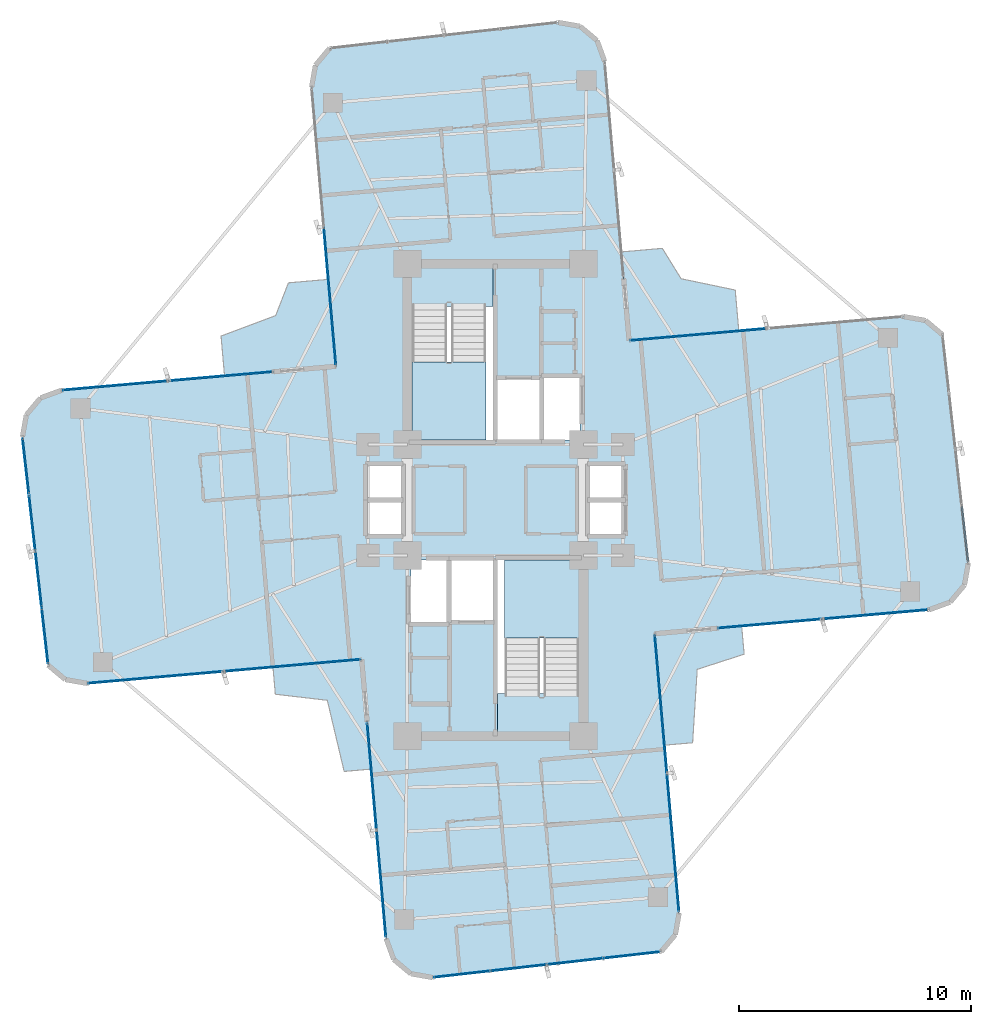
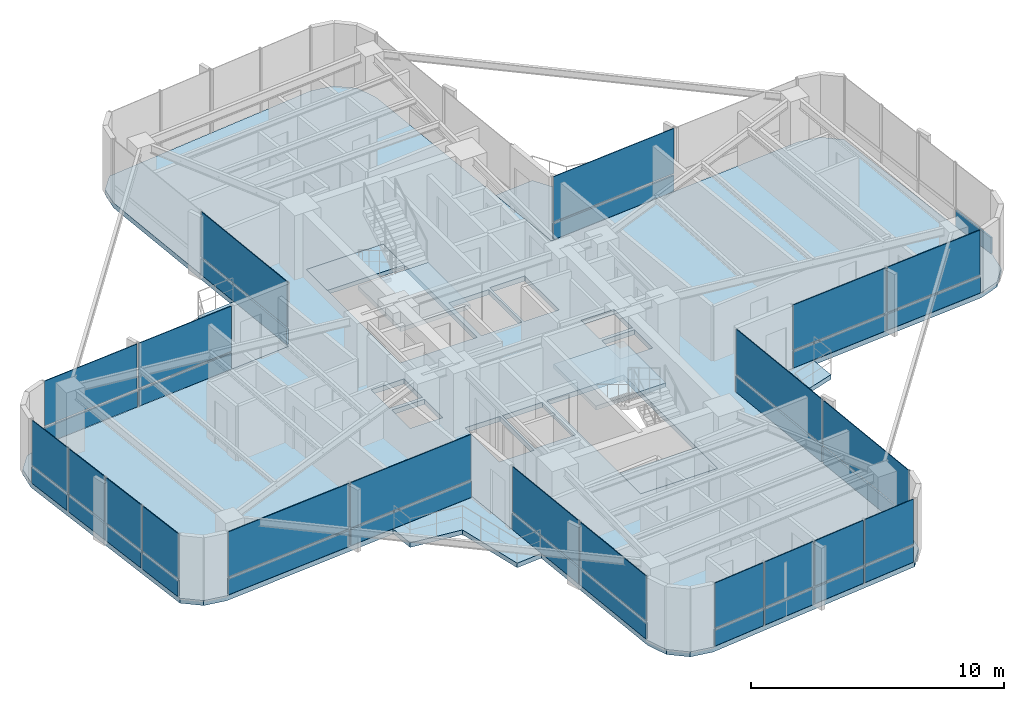
# One storey, part 19 of 24: 41 plates, 9 slabs, 12 elements without a shape of their own.
"""IFC4 building model written with IfcOpenShell, lengths in metres."""

import ifcopenshell
import ifcopenshell.guid

model = None  # the IFC model being written
_history = None  # IfcOwnerHistory: only IFC2X3 demands one
_inside = {}  # id of a spatial element -> (the spatial element, [elements in it])
_under = {}  # id of a project, library or spatial element -> (it, [spatial elements below it])
_declared = {}  # id of a project -> (the project, [libraries it declares])
_typed = {}  # id of a type object -> (the type object, [elements of that type])
_made_of = {}  # id of a material, layer set ... -> (it, [elements and type objects made of it])


def new_model(schema):
    """Start an empty IFC model of exactly this schema.

    Asked for "IFC4X3", IfcOpenShell would pick the latest addendum, in which some entities
    have other attributes; the version numbers below select the first issue.
    IFC2X3 requires an IfcOwnerHistory on every rooted entity: one is made here for all.
    """
    global model, _history
    if schema == "IFC4X3":
        model = ifcopenshell.file(schema_version=(4, 3, 0, 0))
    else:
        model = ifcopenshell.file(schema=schema)
    _inside.clear()
    _under.clear()
    _declared.clear()
    _typed.clear()
    _made_of.clear()
    _history = None
    if model.schema == "IFC2X3":
        org = make("IfcOrganization", Name="unknown")
        user = make(
            "IfcPersonAndOrganization",
            ThePerson=make("IfcPerson", FamilyName="unknown"),
            TheOrganization=org,
        )
        app = make(
            "IfcApplication",
            ApplicationDeveloper=org,
            Version="unknown",
            ApplicationFullName="unknown",
            ApplicationIdentifier="unknown",
        )
        _history = make(
            "IfcOwnerHistory",
            OwningUser=user,
            OwningApplication=app,
            ChangeAction="ADDED",
            CreationDate=0,
        )
    return model


def make(cls, **values):
    """One entity of the class cls with the attributes given. An attribute that is None is left unset."""
    return model.create_entity(
        cls, **{name: value for name, value in values.items() if value is not None}
    )


def rooted(cls, **values):
    """An entity with a GlobalId (a new one), such as an element, a storey or a relation."""
    return make(cls, GlobalId=ifcopenshell.guid.new(), OwnerHistory=_history, **values)


def si_unit(unit_type, name, prefix=None):
    """IfcSIUnit, for example si_unit("LENGTHUNIT", "METRE", prefix="MILLI")."""
    return make("IfcSIUnit", UnitType=unit_type, Prefix=prefix, Name=name)


def assignment(units):
    """IfcUnitAssignment: the units of a project."""
    return None if units is None else make("IfcUnitAssignment", Units=units)


def point(xyz):
    """IfcCartesianPoint."""
    return None if xyz is None else make("IfcCartesianPoint", Coordinates=xyz)


def direction(xyz):
    """IfcDirection."""
    return None if xyz is None else make("IfcDirection", DirectionRatios=xyz)


def frame(location, z_axis=None, x_axis=None):
    """IfcAxis2Placement3D, a coordinate frame: its origin and axes. An axis left out is left unset."""
    return make(
        "IfcAxis2Placement3D",
        Location=point(location),
        Axis=direction(z_axis),
        RefDirection=direction(x_axis),
    )


def frame_2d(location, x_axis=None):
    """IfcAxis2Placement2D, a coordinate frame in the plane: its origin and x axis."""
    return make(
        "IfcAxis2Placement2D", Location=point(location), RefDirection=direction(x_axis)
    )


def origin():
    """The frame at (0, 0, 0) with its axes left unset."""
    return frame((0.0, 0.0, 0.0))


def origin_2d():
    """The frame at (0, 0) in the plane with its x axis left unset."""
    return frame_2d((0.0, 0.0))


def place(relative_to, where):
    """IfcLocalPlacement: puts the frame where relative to a parent placement (None: the world)."""
    return make(
        "IfcLocalPlacement", PlacementRelTo=relative_to, RelativePlacement=where
    )


def context(
    kind, dimensions, precision=None, world=None, true_north=None, identifier=None
):
    """IfcGeometricRepresentationContext, for example the 3D "Model" context."""
    return make(
        "IfcGeometricRepresentationContext",
        ContextIdentifier=identifier,
        ContextType=kind,
        CoordinateSpaceDimension=dimensions,
        Precision=precision,
        WorldCoordinateSystem=world,
        TrueNorth=true_north,
    )


def subcontext(parent, identifier, kind, view, scale=None):
    """IfcGeometricRepresentationSubContext, for example "Body" below "Model"."""
    return make(
        "IfcGeometricRepresentationSubContext",
        ContextIdentifier=identifier,
        ContextType=kind,
        ParentContext=parent,
        TargetScale=scale,
        TargetView=view,
    )


def project(units=None, contexts=None):
    """IfcProject with its units and contexts."""
    return rooted(
        "IfcProject",
        Name="project",
        RepresentationContexts=contexts,
        UnitsInContext=assignment(units),
    )


def spatial(cls, under=None, at=None, **own):
    """A site, building, storey or space (cls), placed at a placement, below another one or the project."""
    s = rooted(cls, ObjectPlacement=at, **own)
    if under is not None:
        _under.setdefault(under.id(), (under, []))[1].append(s)
    return s


def polyline(points):
    """IfcPolyline through the points."""
    return make("IfcPolyline", Points=[point(p) for p in points])


def profile(cls, at=None, kind="AREA", **sizes):
    """A parametric profile (cls). Its sizes go by their IFC names, for example OverallWidth=200.0."""
    return make(cls, ProfileType=kind, Position=at, **sizes)


def rectangle(**sizes):
    """IfcRectangleProfileDef."""
    return profile("IfcRectangleProfileDef", **sizes)


def outline(outer, holes=None, kind="AREA"):
    """IfcArbitraryClosedProfileDef: a profile drawn as a closed curve; with holes, ...WithVoids."""
    if holes is None:
        return make("IfcArbitraryClosedProfileDef", ProfileType=kind, OuterCurve=outer)
    return make(
        "IfcArbitraryProfileDefWithVoids",
        ProfileType=kind,
        OuterCurve=outer,
        InnerCurves=holes,
    )


def extrude(swept, where, along, depth):
    """IfcExtrudedAreaSolid: the profile swept, set in the frame where, extruded along a direction by depth."""
    return make(
        "IfcExtrudedAreaSolid",
        SweptArea=swept,
        Position=where,
        ExtrudedDirection=direction(along),
        Depth=depth,
    )


def shape(context_of_items, identifier, shape_type, items):
    """IfcShapeRepresentation: the items that make up one representation, for example the "Body"."""
    return make(
        "IfcShapeRepresentation",
        ContextOfItems=context_of_items,
        RepresentationIdentifier=identifier,
        RepresentationType=shape_type,
        Items=items,
    )


def source(mapping_origin, context_of_items, identifier, shape_type, items):
    """IfcRepresentationMap: a shape defined once, which mapped items show again and again."""
    return make(
        "IfcRepresentationMap",
        MappingOrigin=mapping_origin,
        MappedRepresentation=shape(context_of_items, identifier, shape_type, items),
    )


def transform(
    local_origin,
    x_axis=None,
    y_axis=None,
    z_axis=None,
    scale=None,
    scale2=None,
    scale3=None,
    uniform=True,
):
    """IfcCartesianTransformationOperator3D, or its non-uniform kind. x_axis, y_axis, z_axis: its Axis1, 2, 3."""
    if uniform:
        return make(
            "IfcCartesianTransformationOperator3D",
            Axis1=direction(x_axis),
            Axis2=direction(y_axis),
            LocalOrigin=point(local_origin),
            Scale=scale,
            Axis3=direction(z_axis),
        )
    return make(
        "IfcCartesianTransformationOperator3DnonUniform",
        Axis1=direction(x_axis),
        Axis2=direction(y_axis),
        LocalOrigin=point(local_origin),
        Scale=scale,
        Axis3=direction(z_axis),
        Scale2=scale2,
        Scale3=scale3,
    )


def mapped(mapping_source, mapping_target):
    """IfcMappedItem: shows the shape of a source again, moved by a transform."""
    return make(
        "IfcMappedItem", MappingSource=mapping_source, MappingTarget=mapping_target
    )


def material(Name=None, Category=None):
    """IfcMaterial."""
    return make("IfcMaterial", Name=Name, Category=Category)


def layer(
    of_material, thickness, ventilated=None, Name=None, Category=None, Priority=None
):
    """IfcMaterialLayer: one layer of a wall or slab, of a material (None: an air gap)."""
    return make(
        "IfcMaterialLayer",
        Material=of_material,
        LayerThickness=thickness,
        IsVentilated=ventilated,
        Name=Name,
        Category=Category,
        Priority=Priority,
    )


def layer_set(layers, Name=None):
    """IfcMaterialLayerSet."""
    return make("IfcMaterialLayerSet", MaterialLayers=layers, LayerSetName=Name)


def made_of(thing, what):
    """Note that an element or type object is made of a material, layer set ...; save() writes the relation."""
    if what is not None:
        _made_of.setdefault(what.id(), (what, []))[1].append(thing)
    return thing


def type_object(cls, material=None, **own):
    """A type object (cls), such as IfcWallType, which elements share."""
    return made_of(rooted(cls, **own), material)


def element(
    cls,
    number,
    at=None,
    inside=None,
    cuts=None,
    type_object=None,
    material=None,
    context=None,
    identifier="Body",
    shape_type=None,
    held_by="IfcProductDefinitionShape",
    body=None,
    shapes=None,
    **own,
):
    """One element of the class cls, such as IfcWall. Its Tag is "e" and its number.

    at: its placement. inside: the storey or other place that contains it. cuts: it is an
    opening in that element (IfcRelVoidsElement). A single representation is given by context,
    identifier, shape_type and body (its items); several are given by shapes. held_by: the class
    of the entity that holds the representations. save() writes the other relations.
    """
    e = rooted(cls, Tag="e%d" % number, ObjectPlacement=at, **own)
    if body is not None:
        shapes = [shape(context, identifier, shape_type, body)]
    if shapes is not None:
        e.Representation = make(held_by, Representations=shapes)
    if inside is not None:
        _inside.setdefault(inside.id(), (inside, []))[1].append(e)
    if cuts is not None:
        rooted(
            "IfcRelVoidsElement", RelatingBuildingElement=cuts, RelatedOpeningElement=e
        )
    if type_object is not None:
        _typed.setdefault(type_object.id(), (type_object, []))[1].append(e)
    return made_of(e, material)


def aggregate(whole, parts):
    """IfcRelAggregates: a whole, such as a stair, and the parts it consists of."""
    return rooted("IfcRelAggregates", RelatingObject=whole, RelatedObjects=parts)


def save(model, path):
    """Write the relations noted so far, then the file.

    IfcRelAggregates (storeys below a building ...), IfcRelContainedInSpatialStructure (elements
    in a storey), IfcRelDefinesByType, IfcRelAssociatesMaterial and IfcRelDeclares: one each for
    every whole, place, type object, material and project.
    """
    for whole, parts in _under.values():
        aggregate(whole, parts)
    for where, things in _inside.values():
        rooted(
            "IfcRelContainedInSpatialStructure",
            RelatedElements=things,
            RelatingStructure=where,
        )
    for kind, things in _typed.values():
        rooted("IfcRelDefinesByType", RelatedObjects=things, RelatingType=kind)
    for what, things in _made_of.values():
        rooted("IfcRelAssociatesMaterial", RelatedObjects=things, RelatingMaterial=what)
    for by, libraries in _declared.values():
        rooted("IfcRelDeclares", RelatingContext=by, RelatedDefinitions=libraries)
    model.write(path)


model = new_model("IFC4")

# Units and contexts
model_context = context("Model", 3, precision=1e-05, world=origin(), true_north=direction((0.0, 1.0)))
body_context = subcontext(model_context, "Body", "Model", "MODEL_VIEW")
ifc_project = project(units=[si_unit("LENGTHUNIT", "METRE"), si_unit("AREAUNIT", "SQUARE_METRE"), si_unit("VOLUMEUNIT", "CUBIC_METRE"), si_unit("PLANEANGLEUNIT", "RADIAN"), si_unit("MASSUNIT", "GRAM", prefix="KILO")], contexts=[model_context])

# Site, building, storey
site_placement = place(None, origin())
site = spatial("IfcSite", under=ifc_project, at=site_placement, CompositionType="ELEMENT")
building_placement = place(site_placement, origin())
building = spatial("IfcBuilding", under=site, at=building_placement, Name="Sahyath Konkavel Grand Hotel", CompositionType="ELEMENT")
storey_placement = place(building_placement, frame((0.0, 0.0, 181.89990234375)))
storey = spatial("IfcBuildingStorey", under=building, at=storey_placement, Name="L50", CompositionType="ELEMENT", Elevation=181.89990234375)

# Slabs
ifc_material_1 = material(Name="Concrete C40/50", Category="concrete")
ifc_layer_1 = layer(ifc_material_1, 0.239990234375)
ifc_layer_set_1 = layer_set([ifc_layer_1], Name="Concrete C40/50")
slab_type_1 = type_object("IfcSlabType", Name="SLB-240", PredefinedType="FLOOR", material=ifc_layer_set_1)
slab_1_placement = place(storey_placement, frame((0.0, 0.0, -0.239990234375)))
element("IfcSlab", 1, at=slab_1_placement, inside=storey, type_object=slab_type_1, Name="L50 Structural Floor Slab", PredefinedType="FLOOR", context=body_context, shape_type="SweptSolid", body=[
    extrude(outline(polyline([(6.87939453125, -5.7724609375), (18.73388671875, -4.735107421875), (19.6337890625, -4.40771484375), (20.24951171875, -3.674072265625), (20.415771484375, -2.73095703125), (19.3037109375, 7.134521484375), (18.5703125, 7.75), (17.627197265625, 7.91650390625), (5.7724609375, 6.87939453125), (4.7177734375, 18.93310546875), (4.390380859375, 19.8330078125), (3.65673828125, 20.44873046875), (2.713623046875, 20.614990234375), (-7.152099609375, 19.5029296875), (-7.767578125, 18.769287109375), (-7.933837890625, 17.826416015625), (-6.87939453125, 5.7724609375), (-18.73388671875, 4.735107421875), (-19.6337890625, 4.40771484375), (-20.24951171875, 3.674072265625), (-20.415771484375, 2.73095703125), (-19.3037109375, -7.134521484375), (-18.5703125, -7.75), (-17.627197265625, -7.91650390625), (-5.7724609375, -6.87939453125), (-4.7177734375, -18.93310546875), (-4.390380859375, -19.8330078125), (-3.65673828125, -20.44873046875), (-2.713623046875, -20.614990234375), (7.152099609375, -19.5029296875), (7.767578125, -18.769287109375), (7.933837890625, -17.826416015625), (6.87939453125, -5.7724609375)]), holes=[polyline([(-3.6201171875, 2.580078125), (-0.10009765625, 2.580078125), (-0.10009765625, 10.02001953125), (-3.6201171875, 10.02001953125), (-3.6201171875, 2.580078125)]), polyline([(0.10009765625, -10.02001953125), (3.6201171875, -10.02001953125), (3.6201171875, -2.580078125), (0.10009765625, -2.580078125), (0.10009765625, -10.02001953125)]), polyline([(0.10009765625, 2.60009765625), (1.949951171875, 2.60009765625), (1.949951171875, 5.199951171875), (0.10009765625, 5.199951171875), (0.10009765625, 2.60009765625)]), polyline([(-1.949951171875, -5.199951171875), (-0.10009765625, -5.199951171875), (-0.10009765625, -2.60009765625), (-1.949951171875, -2.60009765625), (-1.949951171875, -5.199951171875)]), polyline([(2.050048828125, 2.60009765625), (3.64990234375, 2.60009765625), (3.64990234375, 5.300048828125), (2.050048828125, 5.300048828125), (2.050048828125, 2.60009765625)]), polyline([(-3.64990234375, -5.300048828125), (-2.050048828125, -5.300048828125), (-2.050048828125, -2.60009765625), (-3.64990234375, -2.60009765625), (-3.64990234375, -5.300048828125)]), polyline([(4.050048828125, 0.080078125), (5.550048828125, 0.080078125), (5.550048828125, 1.5400390625), (4.050048828125, 1.5400390625), (4.050048828125, 0.080078125)]), polyline([(4.050048828125, -1.5400390625), (5.550048828125, -1.5400390625), (5.550048828125, -0.080078125), (4.050048828125, -0.080078125), (4.050048828125, -1.5400390625)]), polyline([(-5.550048828125, 0.080078125), (-4.050048828125, 0.080078125), (-4.050048828125, 1.5400390625), (-5.550048828125, 1.5400390625), (-5.550048828125, 0.080078125)]), polyline([(-5.550048828125, -1.5400390625), (-4.050048828125, -1.5400390625), (-4.050048828125, -0.080078125), (-5.550048828125, -0.080078125), (-5.550048828125, -1.5400390625)])]), origin(), (0.0, 0.0, 1.0), 0.239990234375),
])
ifc_layer_2 = layer(ifc_material_1, 0.219970703125)
ifc_layer_set_2 = layer_set([ifc_layer_2], Name="Concrete C40/50")
slab_type_2 = type_object("IfcSlabType", Name="SLB-BALCONY-220", PredefinedType="FLOOR", material=ifc_layer_set_2)
slab_2_placement = place(storey_placement, frame((0.0, 0.0, -0.219970703125)))
element("IfcSlab", 2, at=slab_2_placement, inside=storey, type_object=slab_type_2, Name="L50 Winter-Garden Balcony NE", PredefinedType="FLOOR", context=body_context, shape_type="SweptSolid", body=[
    extrude(outline(polyline([(5.7724609375, 6.87939453125), (10.50927734375, 7.293701171875), (10.3544921875, 9.06396484375), (8.015869140625, 9.552978515625), (7.20751953125, 10.864501953125), (5.437255859375, 10.709716796875), (5.7724609375, 6.87939453125)])), origin(), (0.0, 0.0, 1.0), 0.219970703125),
])
slab_3_placement = place(storey_placement, frame((0.0, 0.0, -0.219970703125)))
element("IfcSlab", 3, at=slab_3_placement, inside=storey, type_object=slab_type_2, Name="L50 Winter-Garden Balcony NW", PredefinedType="FLOOR", context=body_context, shape_type="SweptSolid", body=[
    extrude(outline(polyline([(-6.87939453125, 5.7724609375), (-7.207763671875, 9.526123046875), (-8.93408203125, 9.375), (-9.48681640625, 7.96044921875), (-11.843994140625, 7.07763671875), (-11.69287109375, 5.351318359375), (-6.87939453125, 5.7724609375)])), origin(), (0.0, 0.0, 1.0), 0.219970703125),
])
slab_4_placement = place(storey_placement, frame((0.0, 0.0, -0.219970703125)))
element("IfcSlab", 4, at=slab_4_placement, inside=storey, type_object=slab_type_2, Name="L50 Winter-Garden Balcony SW", PredefinedType="FLOOR", context=body_context, shape_type="SweptSolid", body=[
    extrude(outline(polyline([(-5.7724609375, -6.87939453125), (-9.602783203125, -7.21435546875), (-9.50048828125, -8.385009765625), (-7.255859375, -8.647216796875), (-6.528564453125, -11.718505859375), (-5.35791015625, -11.6162109375), (-5.7724609375, -6.87939453125)])), origin(), (0.0, 0.0, 1.0), 0.219970703125),
])
slab_5_placement = place(storey_placement, frame((0.0, 0.0, -0.219970703125)))
element("IfcSlab", 5, at=slab_5_placement, inside=storey, type_object=slab_type_2, Name="L50 Winter-Garden Balcony SE", PredefinedType="FLOOR", context=body_context, shape_type="SweptSolid", body=[
    extrude(outline(polyline([(6.87939453125, -5.7724609375), (7.30029296875, -10.5859375), (8.5146484375, -10.479736328125), (8.71337890625, -7.311279296875), (10.7392578125, -6.658203125), (10.6328125, -5.444091796875), (6.87939453125, -5.7724609375)])), origin(), (0.0, 0.0, 1.0), 0.219970703125),
])

# Stair, slab
stair_type = type_object("IfcStairType", Name="STR-ST16-335", PredefinedType="HALF_TURN_STAIR", material=ifc_material_1)
stair_1_placement = place(storey_placement, origin())
stair_1 = element("IfcStair", 6, at=stair_1_placement, inside=storey, type_object=stair_type, Name="L50 North Core Smokeproof Exit Stair ST-1", PredefinedType="HALF_TURN_STAIR")
ifc_layer_3 = layer(ifc_material_1, 0.199951171875)
ifc_layer_set_3 = layer_set([ifc_layer_3], Name="Concrete C40/50")
slab_type_3 = type_object("IfcSlabType", Name="SLB-STAIR-LND", PredefinedType="LANDING", material=ifc_layer_set_3)
slab_6_placement = place(storey_placement, frame((0.0, 0.0, 1.47509765625)))
slab_6 = element("IfcSlab", 7, at=slab_6_placement, type_object=slab_type_3, Name="ST-1 landing 1", PredefinedType="LANDING", context=body_context, shape_type="SweptSolid", body=[
    extrude(outline(polyline([(-3.60009765625, 5.9599609375), (-3.60009765625, 2.60009765625), (-0.39990234375, 2.60009765625), (-0.39990234375, 5.9599609375), (-3.60009765625, 5.9599609375)])), origin(), (0.0, 0.0, 1.0), 0.199951171875),
])
aggregate(stair_1, [slab_6])

stair_2_placement = place(storey_placement, origin())
stair_2 = element("IfcStair", 8, at=stair_2_placement, inside=storey, type_object=stair_type, Name="L50 South Core Smokeproof Exit Stair ST-2", PredefinedType="HALF_TURN_STAIR")
slab_7_placement = place(storey_placement, frame((0.0, 0.0, 1.47509765625)))
slab_7 = element("IfcSlab", 9, at=slab_7_placement, type_object=slab_type_3, Name="ST-2 landing 1", PredefinedType="LANDING", context=body_context, shape_type="SweptSolid", body=[
    extrude(outline(polyline([(3.60009765625, -5.9599609375), (3.60009765625, -2.60009765625), (0.39990234375, -2.60009765625), (0.39990234375, -5.9599609375), (3.60009765625, -5.9599609375)])), origin(), (0.0, 0.0, 1.0), 0.199951171875),
])
aggregate(stair_2, [slab_7])

# Slabs
slab_8_placement = place(storey_placement, frame((0.0, 0.0, -0.199951171875)))
element("IfcSlab", 10, at=slab_8_placement, inside=storey, type_object=slab_type_3, Name="L50 Stair ST-1 Floor Landing Slab", PredefinedType="LANDING", context=body_context, shape_type="SweptSolid", body=[
    extrude(outline(polyline([(-3.6201171875, 8.35009765625), (-0.10009765625, 8.35009765625), (-0.10009765625, 10.02001953125), (-3.6201171875, 10.02001953125), (-3.6201171875, 8.35009765625)])), origin(), (0.0, 0.0, 1.0), 0.199951171875),
])
slab_9_placement = place(storey_placement, frame((0.0, 0.0, -0.199951171875)))
element("IfcSlab", 11, at=slab_9_placement, inside=storey, type_object=slab_type_3, Name="L50 Stair ST-2 Floor Landing Slab", PredefinedType="LANDING", context=body_context, shape_type="SweptSolid", body=[
    extrude(outline(polyline([(0.10009765625, -10.02001953125), (3.6201171875, -10.02001953125), (3.6201171875, -8.35009765625), (0.10009765625, -8.35009765625), (0.10009765625, -10.02001953125)])), origin(), (0.0, 0.0, 1.0), 0.199951171875),
])

# Curtain wall, plates
ifc_material_2 = material(Name="Anodised Bronze Aluminium & Low-E Glazing", Category="aluminium")
curtain_wall_type = type_object("IfcCurtainWallType", Name="CW-ZONE3", PredefinedType="NOTDEFINED", material=ifc_material_2)
curtain_wall_1_placement = place(storey_placement, origin())
curtain_wall_1 = element("IfcCurtainWall", 12, at=curtain_wall_1_placement, inside=storey, type_object=curtain_wall_type, Name="L50 Unitised Curtain Wall F0", PredefinedType="NOTDEFINED")
ifc_material_3 = material(Name="Warm Buff Sandstone Cladding", Category="masonry")
ifc_layer_4 = layer(ifc_material_3, 0.074951171875)
ifc_layer_set_4 = layer_set([ifc_layer_4], Name="Warm Buff Sandstone Cladding")
plate_type_1 = type_object("IfcPlateType", Name="PNL-SPANDREL-STONE", PredefinedType="SHEET", material=ifc_layer_set_4)
shared_shape_1 = source(origin(), body_context, "Body", "SweptSolid", [
    extrude(rectangle(XDim=4.47998046875, YDim=0.074951171875, at=origin_2d()), origin(), (0.0, 0.0, 1.0), 0.77001953125),
])
plate_1_placement = place(storey_placement, frame((11.880126953125, -5.334716796875, 0.0400390625), z_axis=(0.0, 0.0, 1.0), x_axis=(0.996194698092, 0.087155742748, 0.0)))
plate_1 = element("IfcPlate", 13, at=plate_1_placement, type_object=plate_type_1, Name="L50 Sandstone Relief Spandrel Panel F0-0", PredefinedType="SHEET", context=body_context, shape_type="MappedRepresentation", body=[
    mapped(shared_shape_1, transform((0.0, 0.0, 0.0), scale=1.0)),
])
plate_2_placement = place(storey_placement, frame((16.4228515625, -4.9375, 0.0400390625), z_axis=(0.0, 0.0, 1.0), x_axis=(0.996194698092, 0.087155742748, 0.0)))
plate_2 = element("IfcPlate", 14, at=plate_2_placement, type_object=plate_type_1, Name="L50 Sandstone Relief Spandrel Panel F0-1", PredefinedType="SHEET", context=body_context, shape_type="MappedRepresentation", body=[
    mapped(shared_shape_1, transform((0.0, 0.0, 0.0), scale=1.0)),
])

curtain_wall_2_placement = place(storey_placement, origin())
curtain_wall_2 = element("IfcCurtainWall", 15, at=curtain_wall_2_placement, inside=storey, type_object=curtain_wall_type, Name="L50 Unitised Curtain Wall F16", PredefinedType="NOTDEFINED")
plate_3_placement = place(storey_placement, frame((-11.880126953125, 5.334716796875, 0.0400390625), z_axis=(0.0, 0.0, 1.0), x_axis=(-0.996194698092, -0.087155742748, 0.0)))
plate_3 = element("IfcPlate", 16, at=plate_3_placement, type_object=plate_type_1, Name="L50 Sandstone Relief Spandrel Panel F16-0", PredefinedType="SHEET", context=body_context, shape_type="MappedRepresentation", body=[
    mapped(shared_shape_1, transform((0.0, 0.0, 0.0), scale=1.0)),
])
plate_4_placement = place(storey_placement, frame((-16.4228515625, 4.9375, 0.0400390625), z_axis=(0.0, 0.0, 1.0), x_axis=(-0.996194698092, -0.087155742748, 0.0)))
plate_4 = element("IfcPlate", 17, at=plate_4_placement, type_object=plate_type_1, Name="L50 Sandstone Relief Spandrel Panel F16-1", PredefinedType="SHEET", context=body_context, shape_type="MappedRepresentation", body=[
    mapped(shared_shape_1, transform((0.0, 0.0, 0.0), scale=1.0)),
])

# Curtain wall, plate
curtain_wall_3_placement = place(storey_placement, origin())
curtain_wall_3 = element("IfcCurtainWall", 18, at=curtain_wall_3_placement, inside=storey, type_object=curtain_wall_type, Name="L50 Unitised Curtain Wall F4", PredefinedType="NOTDEFINED")
shared_shape_2 = source(origin(), body_context, "Body", "SweptSolid", [
    extrude(rectangle(XDim=2.382080078125, YDim=0.074951171875, at=origin_2d()), origin(), (0.0, 0.0, 1.0), 0.77001953125),
])
plate_5_placement = place(storey_placement, frame((20.2734375, -1.468017578125, 0.0400390625), z_axis=(0.0, 0.0, 1.0), x_axis=(-0.111989252568, 0.993709417943, 0.0)))
plate_5 = element("IfcPlate", 19, at=plate_5_placement, type_object=plate_type_1, Name="L50 Sandstone Relief Spandrel Panel F4-0", PredefinedType="SHEET", context=body_context, shape_type="MappedRepresentation", body=[
    mapped(shared_shape_2, transform((0.0, 0.0, 0.0), scale=1.0)),
])
aggregate(curtain_wall_3, [plate_5])

# Curtain wall, plates
curtain_wall_4_placement = place(storey_placement, origin())
curtain_wall_4 = element("IfcCurtainWall", 20, at=curtain_wall_4_placement, inside=storey, type_object=curtain_wall_type, Name="L50 Unitised Curtain Wall F20", PredefinedType="NOTDEFINED")
plate_6_placement = place(storey_placement, frame((-20.2734375, 1.468017578125, 0.0400390625), z_axis=(0.0, 0.0, 1.0), x_axis=(0.111989252568, -0.993709417943, 0.0)))
plate_6 = element("IfcPlate", 21, at=plate_6_placement, type_object=plate_type_1, Name="L50 Sandstone Relief Spandrel Panel F20-0", PredefinedType="SHEET", context=body_context, shape_type="MappedRepresentation", body=[
    mapped(shared_shape_2, transform((0.0, 0.0, 0.0), scale=1.0)),
])
plate_7_placement = place(storey_placement, frame((-19.99755859375, -0.978515625, 0.0400390625), z_axis=(0.0, 0.0, 1.0), x_axis=(0.111989252568, -0.993709417943, 0.0)))
plate_7 = element("IfcPlate", 22, at=plate_7_placement, type_object=plate_type_1, Name="L50 Sandstone Relief Spandrel Panel F20-1", PredefinedType="SHEET", context=body_context, shape_type="MappedRepresentation", body=[
    mapped(shared_shape_2, transform((0.0, 0.0, 0.0), scale=1.0)),
])
plate_8_placement = place(storey_placement, frame((-19.7216796875, -3.425048828125, 0.0400390625), z_axis=(0.0, 0.0, 1.0), x_axis=(0.111989252568, -0.993709417943, 0.0)))
plate_8 = element("IfcPlate", 23, at=plate_8_placement, type_object=plate_type_1, Name="L50 Sandstone Relief Spandrel Panel F20-2", PredefinedType="SHEET", context=body_context, shape_type="MappedRepresentation", body=[
    mapped(shared_shape_2, transform((0.0, 0.0, 0.0), scale=1.0)),
])
plate_9_placement = place(storey_placement, frame((-19.446044921875, -5.87158203125, 0.0400390625), z_axis=(0.0, 0.0, 1.0), x_axis=(0.111989252568, -0.993709417943, 0.0)))
plate_9 = element("IfcPlate", 24, at=plate_9_placement, type_object=plate_type_1, Name="L50 Sandstone Relief Spandrel Panel F20-3", PredefinedType="SHEET", context=body_context, shape_type="MappedRepresentation", body=[
    mapped(shared_shape_2, transform((0.0, 0.0, 0.0), scale=1.0)),
])

curtain_wall_5_placement = place(storey_placement, origin())
curtain_wall_5 = element("IfcCurtainWall", 25, at=curtain_wall_5_placement, inside=storey, type_object=curtain_wall_type, Name="L50 Unitised Curtain Wall F28", PredefinedType="NOTDEFINED")
plate_10_placement = place(storey_placement, frame((-1.45068359375, -20.47265625, 0.0400390625), z_axis=(0.0, 0.0, 1.0), x_axis=(0.993707463211, 0.112006596052, 0.0)))
plate_10 = element("IfcPlate", 26, at=plate_10_placement, type_object=plate_type_1, Name="L50 Sandstone Relief Spandrel Panel F28-0", PredefinedType="SHEET", context=body_context, shape_type="MappedRepresentation", body=[
    mapped(shared_shape_2, transform((0.0, 0.0, 0.0), scale=1.0)),
])
plate_11_placement = place(storey_placement, frame((0.995849609375, -20.197021484375, 0.0400390625), z_axis=(0.0, 0.0, 1.0), x_axis=(0.993707463211, 0.112006596052, 0.0)))
plate_11 = element("IfcPlate", 27, at=plate_11_placement, type_object=plate_type_1, Name="L50 Sandstone Relief Spandrel Panel F28-1", PredefinedType="SHEET", context=body_context, shape_type="MappedRepresentation", body=[
    mapped(shared_shape_2, transform((0.0, 0.0, 0.0), scale=1.0)),
])
plate_12_placement = place(storey_placement, frame((3.4423828125, -19.921142578125, 0.0400390625), z_axis=(0.0, 0.0, 1.0), x_axis=(0.993707463211, 0.112006596052, 0.0)))
plate_12 = element("IfcPlate", 28, at=plate_12_placement, type_object=plate_type_1, Name="L50 Sandstone Relief Spandrel Panel F28-2", PredefinedType="SHEET", context=body_context, shape_type="MappedRepresentation", body=[
    mapped(shared_shape_2, transform((0.0, 0.0, 0.0), scale=1.0)),
])
plate_13_placement = place(storey_placement, frame((5.888916015625, -19.6455078125, 0.0400390625), z_axis=(0.0, 0.0, 1.0), x_axis=(0.993707463211, 0.112006596052, 0.0)))
plate_13 = element("IfcPlate", 29, at=plate_13_placement, type_object=plate_type_1, Name="L50 Sandstone Relief Spandrel Panel F28-3", PredefinedType="SHEET", context=body_context, shape_type="MappedRepresentation", body=[
    mapped(shared_shape_2, transform((0.0, 0.0, 0.0), scale=1.0)),
])

# Curtain wall, plate
curtain_wall_6_placement = place(storey_placement, origin())
curtain_wall_6 = element("IfcCurtainWall", 30, at=curtain_wall_6_placement, inside=storey, type_object=curtain_wall_type, Name="L50 Unitised Curtain Wall F7", PredefinedType="NOTDEFINED")
shared_shape_3 = source(origin(), body_context, "Body", "SweptSolid", [
    extrude(rectangle(XDim=5.830078125, YDim=0.074951171875, at=origin_2d()), origin(), (0.0, 0.0, 1.0), 0.77001953125),
])
plate_14_placement = place(storey_placement, frame((8.756103515625, 7.140380859375, 0.0400390625), z_axis=(0.0, 0.0, 1.0), x_axis=(-0.996194698092, -0.087155742748, 0.0)))
plate_14 = element("IfcPlate", 31, at=plate_14_placement, type_object=plate_type_1, Name="L50 Sandstone Relief Spandrel Panel F7-1", PredefinedType="SHEET", context=body_context, shape_type="MappedRepresentation", body=[
    mapped(shared_shape_3, transform((0.0, 0.0, 0.0), scale=1.0)),
])

# Curtain wall, plates
curtain_wall_7_placement = place(storey_placement, origin())
curtain_wall_7 = element("IfcCurtainWall", 32, at=curtain_wall_7_placement, inside=storey, type_object=curtain_wall_type, Name="L50 Unitised Curtain Wall F23", PredefinedType="NOTDEFINED")
plate_15_placement = place(storey_placement, frame((-14.6435546875, -7.655517578125, 0.0400390625), z_axis=(0.0, 0.0, 1.0), x_axis=(0.996194698092, 0.087155742748, 0.0)))
plate_15 = element("IfcPlate", 33, at=plate_15_placement, type_object=plate_type_1, Name="L50 Sandstone Relief Spandrel Panel F23-0", PredefinedType="SHEET", context=body_context, shape_type="MappedRepresentation", body=[
    mapped(shared_shape_3, transform((0.0, 0.0, 0.0), scale=1.0)),
])
plate_16_placement = place(storey_placement, frame((-8.756103515625, -7.140380859375, 0.0400390625), z_axis=(0.0, 0.0, 1.0), x_axis=(0.996194698092, 0.087155742748, 0.0)))
plate_16 = element("IfcPlate", 34, at=plate_16_placement, type_object=plate_type_1, Name="L50 Sandstone Relief Spandrel Panel F23-1", PredefinedType="SHEET", context=body_context, shape_type="MappedRepresentation", body=[
    mapped(shared_shape_3, transform((0.0, 0.0, 0.0), scale=1.0)),
])

curtain_wall_8_placement = place(storey_placement, origin())
curtain_wall_8 = element("IfcCurtainWall", 35, at=curtain_wall_8_placement, inside=storey, type_object=curtain_wall_type, Name="L50 Unitised Curtain Wall F24", PredefinedType="NOTDEFINED")
shared_shape_4 = source(origin(), body_context, "Body", "SweptSolid", [
    extrude(rectangle(XDim=4.580078125, YDim=0.074951171875, at=origin_2d()), origin(), (0.0, 0.0, 1.0), 0.77001953125),
])
plate_17_placement = place(storey_placement, frame((-5.33056640625, -11.929931640625, 0.0400390625), z_axis=(0.0, 0.0, 1.0), x_axis=(0.087155742748, -0.996194698092, 0.0)))
plate_17 = element("IfcPlate", 36, at=plate_17_placement, type_object=plate_type_1, Name="L50 Sandstone Relief Spandrel Panel F24-0", PredefinedType="SHEET", context=body_context, shape_type="MappedRepresentation", body=[
    mapped(shared_shape_4, transform((0.0, 0.0, 0.0), scale=1.0)),
])
plate_18_placement = place(storey_placement, frame((-4.92431640625, -16.572265625, 0.0400390625), z_axis=(0.0, 0.0, 1.0), x_axis=(0.087155742748, -0.996194698092, 0.0)))
plate_18 = element("IfcPlate", 37, at=plate_18_placement, type_object=plate_type_1, Name="L50 Sandstone Relief Spandrel Panel F24-1", PredefinedType="SHEET", context=body_context, shape_type="MappedRepresentation", body=[
    mapped(shared_shape_4, transform((0.0, 0.0, 0.0), scale=1.0)),
])

# Curtain wall, plate
curtain_wall_9_placement = place(storey_placement, origin())
curtain_wall_9 = element("IfcCurtainWall", 38, at=curtain_wall_9_placement, inside=storey, type_object=curtain_wall_type, Name="L50 Unitised Curtain Wall F15", PredefinedType="NOTDEFINED")
shared_shape_5 = source(origin(), body_context, "Body", "SweptSolid", [
    extrude(rectangle(XDim=5.929931640625, YDim=0.074951171875, at=origin_2d()), origin(), (0.0, 0.0, 1.0), 0.77001953125),
])
plate_19_placement = place(storey_placement, frame((-7.144775390625, 8.805908203125, 0.0400390625), z_axis=(0.0, 0.0, 1.0), x_axis=(0.087155742748, -0.996194698092, 0.0)))
plate_19 = element("IfcPlate", 39, at=plate_19_placement, type_object=plate_type_1, Name="L50 Sandstone Relief Spandrel Panel F15-1", PredefinedType="SHEET", context=body_context, shape_type="MappedRepresentation", body=[
    mapped(shared_shape_5, transform((0.0, 0.0, 0.0), scale=1.0)),
])

# Curtain wall, plates
curtain_wall_10_placement = place(storey_placement, origin())
curtain_wall_10 = element("IfcCurtainWall", 40, at=curtain_wall_10_placement, inside=storey, type_object=curtain_wall_type, Name="L50 Unitised Curtain Wall F31", PredefinedType="NOTDEFINED")
plate_20_placement = place(storey_placement, frame((7.66845703125, -14.79296875, 0.0400390625), z_axis=(0.0, 0.0, 1.0), x_axis=(-0.087155742748, 0.996194698092, 0.0)))
plate_20 = element("IfcPlate", 41, at=plate_20_placement, type_object=plate_type_1, Name="L50 Sandstone Relief Spandrel Panel F31-0", PredefinedType="SHEET", context=body_context, shape_type="MappedRepresentation", body=[
    mapped(shared_shape_5, transform((0.0, 0.0, 0.0), scale=1.0)),
])
plate_21_placement = place(storey_placement, frame((7.144775390625, -8.805908203125, 0.0400390625), z_axis=(0.0, 0.0, 1.0), x_axis=(-0.087155742748, 0.996194698092, 0.0)))
plate_21 = element("IfcPlate", 42, at=plate_21_placement, type_object=plate_type_1, Name="L50 Sandstone Relief Spandrel Panel F31-1", PredefinedType="SHEET", context=body_context, shape_type="MappedRepresentation", body=[
    mapped(shared_shape_5, transform((0.0, 0.0, 0.0), scale=1.0)),
])

# Plate
ifc_material_4 = material(Name="Low-E Solar Control Double Glazing", Category="glass")
ifc_layer_5 = layer(ifc_material_4, 0.035888671875)
ifc_layer_set_5 = layer_set([ifc_layer_5], Name="Low-E Solar Control Double Glazing")
plate_type_2 = type_object("IfcPlateType", Name="PNL-VISION-LOWE", PredefinedType="CURTAIN_PANEL", material=ifc_layer_set_5)
shared_shape_6 = source(origin(), body_context, "Body", "SweptSolid", [
    extrude(rectangle(XDim=4.47998046875, YDim=0.035888671875, at=origin_2d()), origin(), (0.0, 0.0, 1.0), 2.179931640625),
])
plate_22_placement = place(storey_placement, frame((11.880126953125, -5.334716796875, 0.89013671875), z_axis=(0.0, 0.0, 1.0), x_axis=(0.996194698092, 0.087155742748, 0.0)))
plate_22 = element("IfcPlate", 43, at=plate_22_placement, type_object=plate_type_2, Name="L50 Low-E Vision Glazing Panel F0-0", PredefinedType="CURTAIN_PANEL", context=body_context, shape_type="MappedRepresentation", body=[
    mapped(shared_shape_6, transform((0.0, 0.0, 0.0), scale=1.0)),
])

plate_23_placement = place(storey_placement, frame((16.4228515625, -4.9375, 0.89013671875), z_axis=(0.0, 0.0, 1.0), x_axis=(0.996194698092, 0.087155742748, 0.0)))
plate_23 = element("IfcPlate", 44, at=plate_23_placement, type_object=plate_type_2, Name="L50 Low-E Vision Glazing Panel F0-1", PredefinedType="CURTAIN_PANEL", context=body_context, shape_type="MappedRepresentation", body=[
    mapped(shared_shape_6, transform((0.0, 0.0, 0.0), scale=1.0)),
])

aggregate(curtain_wall_1, [plate_1, plate_22, plate_2, plate_23])

plate_24_placement = place(storey_placement, frame((-11.880126953125, 5.334716796875, 0.89013671875), z_axis=(0.0, 0.0, 1.0), x_axis=(-0.996194698092, -0.087155742748, 0.0)))
plate_24 = element("IfcPlate", 45, at=plate_24_placement, type_object=plate_type_2, Name="L50 Low-E Vision Glazing Panel F16-0", PredefinedType="CURTAIN_PANEL", context=body_context, shape_type="MappedRepresentation", body=[
    mapped(shared_shape_6, transform((0.0, 0.0, 0.0), scale=1.0)),
])

plate_25_placement = place(storey_placement, frame((-16.4228515625, 4.9375, 0.89013671875), z_axis=(0.0, 0.0, 1.0), x_axis=(-0.996194698092, -0.087155742748, 0.0)))
plate_25 = element("IfcPlate", 46, at=plate_25_placement, type_object=plate_type_2, Name="L50 Low-E Vision Glazing Panel F16-1", PredefinedType="CURTAIN_PANEL", context=body_context, shape_type="MappedRepresentation", body=[
    mapped(shared_shape_6, transform((0.0, 0.0, 0.0), scale=1.0)),
])

aggregate(curtain_wall_2, [plate_3, plate_24, plate_4, plate_25])

shared_shape_7 = source(origin(), body_context, "Body", "SweptSolid", [
    extrude(rectangle(XDim=2.382080078125, YDim=0.035888671875, at=origin_2d()), origin(), (0.0, 0.0, 1.0), 2.179931640625),
])
plate_26_placement = place(storey_placement, frame((-20.2734375, 1.468017578125, 0.89013671875), z_axis=(0.0, 0.0, 1.0), x_axis=(0.111989252568, -0.993709417943, 0.0)))
plate_26 = element("IfcPlate", 47, at=plate_26_placement, type_object=plate_type_2, Name="L50 Low-E Vision Glazing Panel F20-0", PredefinedType="CURTAIN_PANEL", context=body_context, shape_type="MappedRepresentation", body=[
    mapped(shared_shape_7, transform((0.0, 0.0, 0.0), scale=1.0)),
])

plate_27_placement = place(storey_placement, frame((-19.99755859375, -0.978515625, 0.89013671875), z_axis=(0.0, 0.0, 1.0), x_axis=(0.111989252568, -0.993709417943, 0.0)))
plate_27 = element("IfcPlate", 48, at=plate_27_placement, type_object=plate_type_2, Name="L50 Low-E Vision Glazing Panel F20-1", PredefinedType="CURTAIN_PANEL", context=body_context, shape_type="MappedRepresentation", body=[
    mapped(shared_shape_7, transform((0.0, 0.0, 0.0), scale=1.0)),
])

plate_28_placement = place(storey_placement, frame((-19.7216796875, -3.425048828125, 0.89013671875), z_axis=(0.0, 0.0, 1.0), x_axis=(0.111989252568, -0.993709417943, 0.0)))
plate_28 = element("IfcPlate", 49, at=plate_28_placement, type_object=plate_type_2, Name="L50 Low-E Vision Glazing Panel F20-2", PredefinedType="CURTAIN_PANEL", context=body_context, shape_type="MappedRepresentation", body=[
    mapped(shared_shape_7, transform((0.0, 0.0, 0.0), scale=1.0)),
])

plate_29_placement = place(storey_placement, frame((-19.446044921875, -5.87158203125, 0.89013671875), z_axis=(0.0, 0.0, 1.0), x_axis=(0.111989252568, -0.993709417943, 0.0)))
plate_29 = element("IfcPlate", 50, at=plate_29_placement, type_object=plate_type_2, Name="L50 Low-E Vision Glazing Panel F20-3", PredefinedType="CURTAIN_PANEL", context=body_context, shape_type="MappedRepresentation", body=[
    mapped(shared_shape_7, transform((0.0, 0.0, 0.0), scale=1.0)),
])

aggregate(curtain_wall_4, [plate_6, plate_26, plate_7, plate_27, plate_8, plate_28, plate_9, plate_29])

plate_30_placement = place(storey_placement, frame((-1.45068359375, -20.47265625, 0.89013671875), z_axis=(0.0, 0.0, 1.0), x_axis=(0.993707463211, 0.112006596052, 0.0)))
plate_30 = element("IfcPlate", 51, at=plate_30_placement, type_object=plate_type_2, Name="L50 Low-E Vision Glazing Panel F28-0", PredefinedType="CURTAIN_PANEL", context=body_context, shape_type="MappedRepresentation", body=[
    mapped(shared_shape_7, transform((0.0, 0.0, 0.0), scale=1.0)),
])

plate_31_placement = place(storey_placement, frame((0.995849609375, -20.197021484375, 0.89013671875), z_axis=(0.0, 0.0, 1.0), x_axis=(0.993707463211, 0.112006596052, 0.0)))
plate_31 = element("IfcPlate", 52, at=plate_31_placement, type_object=plate_type_2, Name="L50 Low-E Vision Glazing Panel F28-1", PredefinedType="CURTAIN_PANEL", context=body_context, shape_type="MappedRepresentation", body=[
    mapped(shared_shape_7, transform((0.0, 0.0, 0.0), scale=1.0)),
])

plate_32_placement = place(storey_placement, frame((3.4423828125, -19.921142578125, 0.89013671875), z_axis=(0.0, 0.0, 1.0), x_axis=(0.993707463211, 0.112006596052, 0.0)))
plate_32 = element("IfcPlate", 53, at=plate_32_placement, type_object=plate_type_2, Name="L50 Low-E Vision Glazing Panel F28-2", PredefinedType="CURTAIN_PANEL", context=body_context, shape_type="MappedRepresentation", body=[
    mapped(shared_shape_7, transform((0.0, 0.0, 0.0), scale=1.0)),
])

plate_33_placement = place(storey_placement, frame((5.888916015625, -19.6455078125, 0.89013671875), z_axis=(0.0, 0.0, 1.0), x_axis=(0.993707463211, 0.112006596052, 0.0)))
plate_33 = element("IfcPlate", 54, at=plate_33_placement, type_object=plate_type_2, Name="L50 Low-E Vision Glazing Panel F28-3", PredefinedType="CURTAIN_PANEL", context=body_context, shape_type="MappedRepresentation", body=[
    mapped(shared_shape_7, transform((0.0, 0.0, 0.0), scale=1.0)),
])

aggregate(curtain_wall_5, [plate_10, plate_30, plate_11, plate_31, plate_12, plate_32, plate_13, plate_33])

shared_shape_8 = source(origin(), body_context, "Body", "SweptSolid", [
    extrude(rectangle(XDim=5.830078125, YDim=0.035888671875, at=origin_2d()), origin(), (0.0, 0.0, 1.0), 2.179931640625),
])
plate_34_placement = place(storey_placement, frame((8.756103515625, 7.140380859375, 0.89013671875), z_axis=(0.0, 0.0, 1.0), x_axis=(-0.996194698092, -0.087155742748, 0.0)))
plate_34 = element("IfcPlate", 55, at=plate_34_placement, type_object=plate_type_2, Name="L50 Low-E Vision Glazing Panel F7-1", PredefinedType="CURTAIN_PANEL", context=body_context, shape_type="MappedRepresentation", body=[
    mapped(shared_shape_8, transform((0.0, 0.0, 0.0), scale=1.0)),
])

aggregate(curtain_wall_6, [plate_14, plate_34])

plate_35_placement = place(storey_placement, frame((-14.6435546875, -7.655517578125, 0.89013671875), z_axis=(0.0, 0.0, 1.0), x_axis=(0.996194698092, 0.087155742748, 0.0)))
plate_35 = element("IfcPlate", 56, at=plate_35_placement, type_object=plate_type_2, Name="L50 Low-E Vision Glazing Panel F23-0", PredefinedType="CURTAIN_PANEL", context=body_context, shape_type="MappedRepresentation", body=[
    mapped(shared_shape_8, transform((0.0, 0.0, 0.0), scale=1.0)),
])

plate_36_placement = place(storey_placement, frame((-8.756103515625, -7.140380859375, 0.89013671875), z_axis=(0.0, 0.0, 1.0), x_axis=(0.996194698092, 0.087155742748, 0.0)))
plate_36 = element("IfcPlate", 57, at=plate_36_placement, type_object=plate_type_2, Name="L50 Low-E Vision Glazing Panel F23-1", PredefinedType="CURTAIN_PANEL", context=body_context, shape_type="MappedRepresentation", body=[
    mapped(shared_shape_8, transform((0.0, 0.0, 0.0), scale=1.0)),
])

aggregate(curtain_wall_7, [plate_15, plate_35, plate_16, plate_36])

shared_shape_9 = source(origin(), body_context, "Body", "SweptSolid", [
    extrude(rectangle(XDim=4.580078125, YDim=0.035888671875, at=origin_2d()), origin(), (0.0, 0.0, 1.0), 2.179931640625),
])
plate_37_placement = place(storey_placement, frame((-5.33056640625, -11.929931640625, 0.89013671875), z_axis=(0.0, 0.0, 1.0), x_axis=(0.087155742748, -0.996194698092, 0.0)))
plate_37 = element("IfcPlate", 58, at=plate_37_placement, type_object=plate_type_2, Name="L50 Low-E Vision Glazing Panel F24-0", PredefinedType="CURTAIN_PANEL", context=body_context, shape_type="MappedRepresentation", body=[
    mapped(shared_shape_9, transform((0.0, 0.0, 0.0), scale=1.0)),
])

plate_38_placement = place(storey_placement, frame((-4.92431640625, -16.572265625, 0.89013671875), z_axis=(0.0, 0.0, 1.0), x_axis=(0.087155742748, -0.996194698092, 0.0)))
plate_38 = element("IfcPlate", 59, at=plate_38_placement, type_object=plate_type_2, Name="L50 Low-E Vision Glazing Panel F24-1", PredefinedType="CURTAIN_PANEL", context=body_context, shape_type="MappedRepresentation", body=[
    mapped(shared_shape_9, transform((0.0, 0.0, 0.0), scale=1.0)),
])

aggregate(curtain_wall_8, [plate_17, plate_37, plate_18, plate_38])

shared_shape_10 = source(origin(), body_context, "Body", "SweptSolid", [
    extrude(rectangle(XDim=5.929931640625, YDim=0.035888671875, at=origin_2d()), origin(), (0.0, 0.0, 1.0), 2.179931640625),
])
plate_39_placement = place(storey_placement, frame((-7.144775390625, 8.805908203125, 0.89013671875), z_axis=(0.0, 0.0, 1.0), x_axis=(0.087155742748, -0.996194698092, 0.0)))
plate_39 = element("IfcPlate", 60, at=plate_39_placement, type_object=plate_type_2, Name="L50 Low-E Vision Glazing Panel F15-1", PredefinedType="CURTAIN_PANEL", context=body_context, shape_type="MappedRepresentation", body=[
    mapped(shared_shape_10, transform((0.0, 0.0, 0.0), scale=1.0)),
])

aggregate(curtain_wall_9, [plate_19, plate_39])

plate_40_placement = place(storey_placement, frame((7.66845703125, -14.79296875, 0.89013671875), z_axis=(0.0, 0.0, 1.0), x_axis=(-0.087155742748, 0.996194698092, 0.0)))
plate_40 = element("IfcPlate", 61, at=plate_40_placement, type_object=plate_type_2, Name="L50 Low-E Vision Glazing Panel F31-0", PredefinedType="CURTAIN_PANEL", context=body_context, shape_type="MappedRepresentation", body=[
    mapped(shared_shape_10, transform((0.0, 0.0, 0.0), scale=1.0)),
])

plate_41_placement = place(storey_placement, frame((7.144775390625, -8.805908203125, 0.89013671875), z_axis=(0.0, 0.0, 1.0), x_axis=(-0.087155742748, 0.996194698092, 0.0)))
plate_41 = element("IfcPlate", 62, at=plate_41_placement, type_object=plate_type_2, Name="L50 Low-E Vision Glazing Panel F31-1", PredefinedType="CURTAIN_PANEL", context=body_context, shape_type="MappedRepresentation", body=[
    mapped(shared_shape_10, transform((0.0, 0.0, 0.0), scale=1.0)),
])

aggregate(curtain_wall_10, [plate_20, plate_40, plate_21, plate_41])

save(model, "model.ifc")
